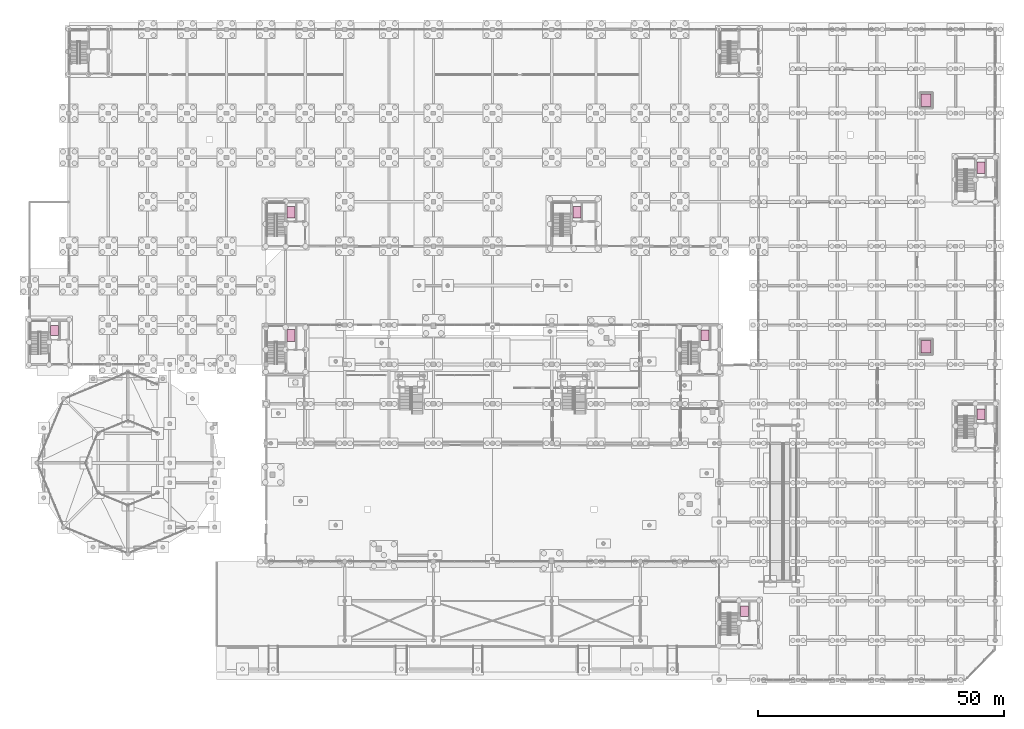
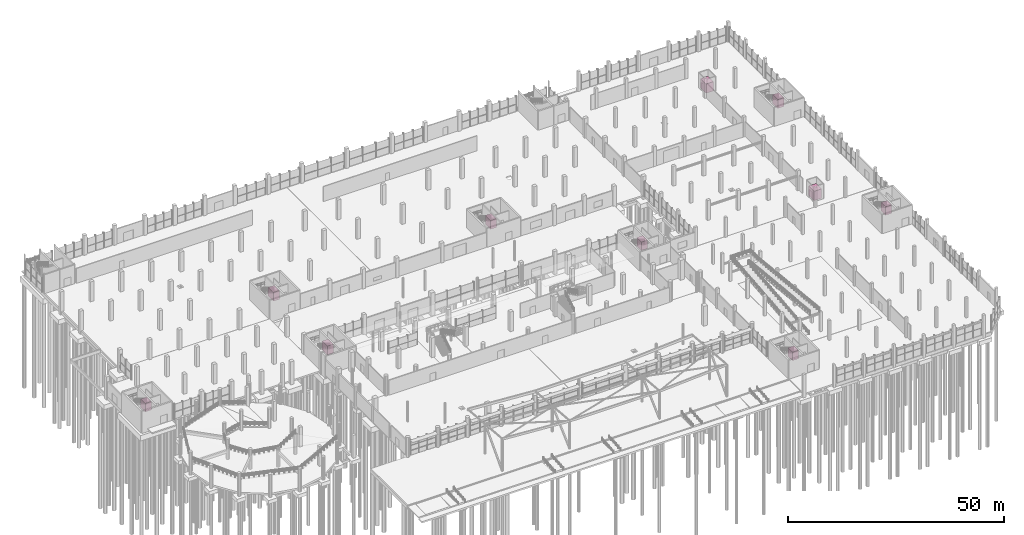
# One storey, part 98 of 98: 10 transport elements.
"""IFC4 building model written with IfcOpenShell, lengths in metres."""

from ifc_helpers import new_model, si_unit, derived_unit, direction, frame, origin, origin_2d, place, context, subcontext, project, spatial, rectangle, extrude, material, type_object, element, save


model = new_model("IFC4")

# Units and contexts
model_context = context("Model", 3, precision=1e-05, world=origin(), true_north=direction((0.0, 1.0)))
body_context = subcontext(model_context, "Body", "Model", "MODEL_VIEW")
ifc_project = project(units=[si_unit("LENGTHUNIT", "METRE"), si_unit("AREAUNIT", "SQUARE_METRE"), si_unit("VOLUMEUNIT", "CUBIC_METRE"), si_unit("PLANEANGLEUNIT", "RADIAN"), si_unit("MASSUNIT", "GRAM", prefix="KILO"), si_unit("THERMODYNAMICTEMPERATUREUNIT", "KELVIN"), derived_unit("THERMALTRANSMITTANCEUNIT", [(si_unit("POWERUNIT", "WATT"), 1), (si_unit("AREAUNIT", "SQUARE_METRE"), -1), (si_unit("THERMODYNAMICTEMPERATUREUNIT", "KELVIN"), -1)])], contexts=[model_context])

# Site, building, storey
site_placement = place(None, origin())
site = spatial("IfcSite", under=ifc_project, at=site_placement, CompositionType="ELEMENT")
building_placement = place(site_placement, origin())
building = spatial("IfcBuilding", under=site, at=building_placement, Name="Haiyu Intermodal Mobility Hub", CompositionType="ELEMENT")
storey_placement = place(building_placement, origin())
storey = spatial("IfcBuildingStorey", under=building, at=storey_placement, Name="L00", CompositionType="ELEMENT", Elevation=0.0)

# Transport elements
ifc_material = material(Name="Steel Q355C", Category="steel")
transport_element_type_1 = type_object("IfcTransportElementType", Name="LFT-LF01", PredefinedType="ELEVATOR", material=ifc_material)
for number, where, z_axis, x_axis, name in (
    (1, (67.1298828125, 85.89990234375, 0.0), (0.0, 0.0, 1.0), (1.0, 0.0, 0.0), "Firefighting Lift FL-01"),
    (2, (67.1298828125, 110.89990234375, 0.0), (0.0, 0.0, 1.0), (1.0, 0.0, 0.0), "Firefighting Lift FL-02"),
    (3, (125.1298828125, 110.89990234375, 0.0), (0.0, 0.0, 1.0), (1.0, 0.0, 0.0), "Firefighting Lift FL-03"),
    (4, (207.1298828125, 119.89990234375, 0.0), (0.0, 0.0, 1.0), (1.0, 0.0, 0.0), "Firefighting Lift FL-04"),
):
    element("IfcTransportElement", number, at=place(storey_placement, frame(where, z_axis=z_axis, x_axis=x_axis)), inside=storey, type_object=transport_element_type_1, Name=name, PredefinedType="ELEVATOR", context=body_context, shape_type="SweptSolid", body=[
        extrude(rectangle(XDim=1.60009765625, YDim=2.39990234375, at=origin_2d()), origin(), (0.0, 0.0, 1.0), 2.5),
    ])
transport_element_type_2 = type_object("IfcTransportElementType", Name="LFT-LF02", PredefinedType="ELEVATOR", material=ifc_material)
for number, where, z_axis, x_axis, name in (
    (5, (151.1298828125, 85.89990234375, 0.0), (0.0, 0.0, 1.0), (1.0, 0.0, 0.0), "Passenger Lift PL-01"),
    (6, (19.1298828125, 86.89990234375, 0.0), (0.0, 0.0, 1.0), (1.0, 0.0, 0.0), "Passenger Lift PL-02"),
    (7, (159.1298828125, 29.89990234375, 0.0), (0.0, 0.0, 1.0), (1.0, 0.0, 0.0), "Passenger Lift PL-03"),
    (8, (207.1298828125, 69.89990234375, 0.0), (0.0, 0.0, 1.0), (1.0, 0.0, 0.0), "Passenger Lift PL-04"),
):
    element("IfcTransportElement", number, at=place(storey_placement, frame(where, z_axis=z_axis, x_axis=x_axis)), inside=storey, type_object=transport_element_type_2, Name=name, PredefinedType="ELEVATOR", context=body_context, shape_type="SweptSolid", body=[
        extrude(rectangle(XDim=1.60009765625, YDim=2.10009765625, at=origin_2d()), origin(), (0.0, 0.0, 1.0), 2.39990234375),
    ])
transport_element_type_3 = type_object("IfcTransportElementType", Name="LFT-LF03", PredefinedType="ELEVATOR", material=ifc_material)
for number, where, z_axis, x_axis, name in (
    (9, (196.0, 83.60009765625, 0.0), (0.0, 0.0, 1.0), (1.0, 0.0, 0.0), "Cycle & Goods Lift GL-01"),
    (10, (196.0, 133.60009765625, 0.0), (0.0, 0.0, 1.0), (1.0, 0.0, 0.0), "Cycle & Goods Lift GL-02"),
):
    element("IfcTransportElement", number, at=place(storey_placement, frame(where, z_axis=z_axis, x_axis=x_axis)), inside=storey, type_object=transport_element_type_3, Name=name, PredefinedType="ELEVATOR", context=body_context, shape_type="SweptSolid", body=[
        extrude(rectangle(XDim=2.0, YDim=2.60009765625, at=origin_2d()), origin(), (0.0, 0.0, 1.0), 2.60009765625),
    ])

save(model, "model.ifc")
